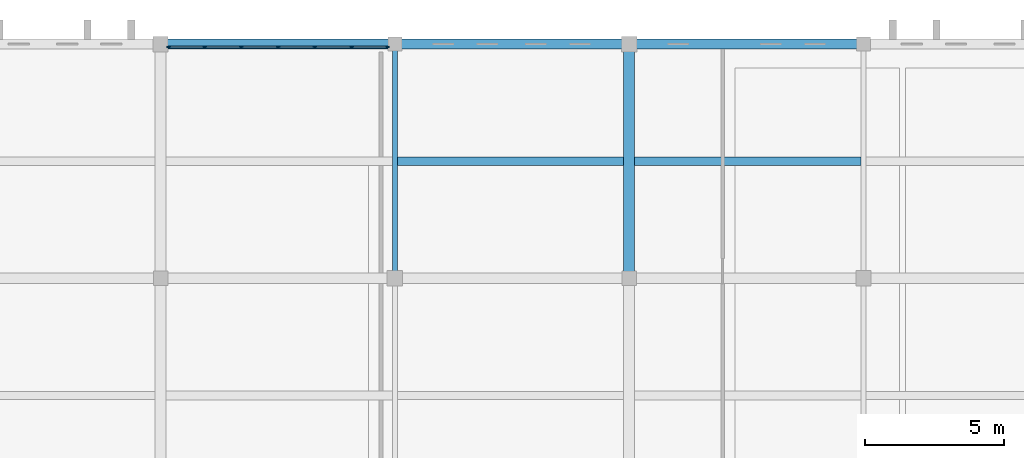
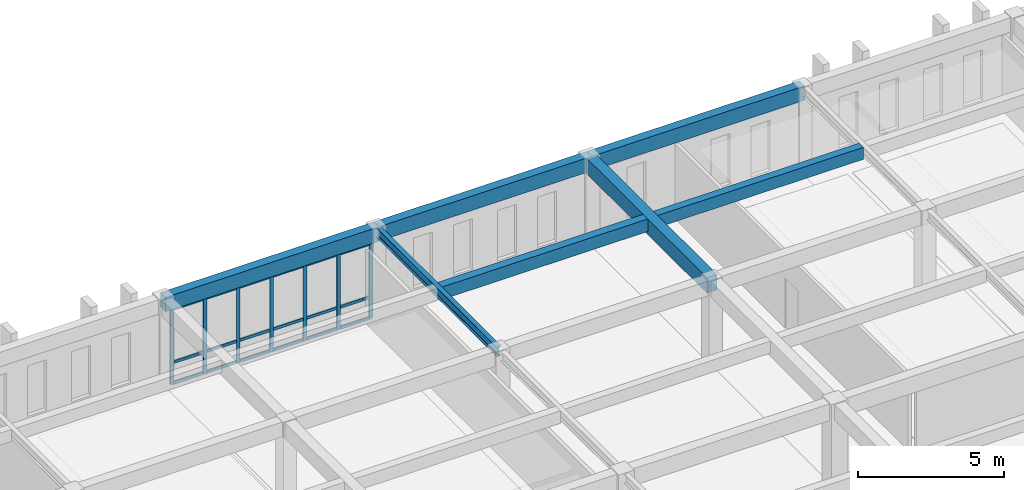
# One storey, part 18 of 47: 25 members, 7 beams, 1 element without a shape of its own.
"""IFC4 building model written with IfcOpenShell, lengths in metres."""

from ifc_helpers import new_model, si_unit, direction, frame, origin, origin_2d, place, context, subcontext, project, spatial, rectangle, i_section, extrude, material, layer, layer_set, material_profile, profile_set, type_object, element, aggregate, save


model = new_model("IFC4")

# Units and contexts
model_context = context("Model", 3, precision=1e-05, world=origin(), true_north=direction((0.0, 1.0)))
body_context = subcontext(model_context, "Body", "Model", "MODEL_VIEW")
ifc_project = project(units=[si_unit("LENGTHUNIT", "METRE"), si_unit("AREAUNIT", "SQUARE_METRE"), si_unit("VOLUMEUNIT", "CUBIC_METRE"), si_unit("PLANEANGLEUNIT", "RADIAN"), si_unit("MASSUNIT", "GRAM", prefix="KILO")], contexts=[model_context])

# Site, building, storey
site_placement = place(None, origin())
site = spatial("IfcSite", under=ifc_project, at=site_placement, CompositionType="ELEMENT")
building_placement = place(site_placement, origin())
building = spatial("IfcBuilding", under=site, at=building_placement, Name="Kveldsbrygga Polytechnic", CompositionType="ELEMENT")
storey_placement = place(building_placement, frame((0.0, 0.0, 13.93994140625)))
storey = spatial("IfcBuildingStorey", under=building, at=storey_placement, Name="L03", CompositionType="ELEMENT", Elevation=13.93994140625)

# Beams
ifc_material_1 = material(Name="Concrete C35/45", Category="concrete")
ifc_material_profile_1 = material_profile(ifc_material_1, rectangle(XDim=0.39990234375, YDim=0.64990234375, at=origin_2d()), Name="RC 400x650")
ifc_profile_set_1 = profile_set([ifc_material_profile_1], Name="Concrete C35/45")
beam_type_1 = type_object("IfcBeamType", Name="BM-RC-400x650", PredefinedType="BEAM", material=ifc_profile_set_1)
beam_1_placement = place(storey_placement, frame((134.39990234375, 109.199951171875, 3.425048828125), z_axis=(0.0, 1.0, 0.0), x_axis=(-1.0, 0.0, 0.0)))
element("IfcBeam", 1, at=beam_1_placement, inside=storey, type_object=beam_type_1, Name="Primary Beam BMY-L03-16-13to14", PredefinedType="BEAM", context=body_context, shape_type="SweptSolid", body=[
    extrude(rectangle(XDim=0.39990234375, YDim=0.64990234375, at=origin_2d()), origin(), (0.0, 0.0, 1.0), 8.400146484375),
])
ifc_material_profile_2 = material_profile(ifc_material_1, rectangle(XDim=0.35009765625, YDim=0.60009765625, at=origin_2d()), Name="RC 350x600")
ifc_profile_set_2 = profile_set([ifc_material_profile_2], Name="Concrete C35/45")
beam_type_2 = type_object("IfcBeamType", Name="BM-SPANDREL-600", PredefinedType="T_BEAM", material=ifc_profile_set_2)
for number, where, z_axis, x_axis, name in (
    (2, (117.60009765625, 117.60009765625, 3.449951171875), (1.0, 0.0, 0.0), (0.0, 1.0, 0.0), "Primary Beam BMX-L03-14to15-14"),
    (3, (126.0, 117.60009765625, 3.449951171875), (1.0, 0.0, 0.0), (0.0, 1.0, 0.0), "Primary Beam BMX-L03-15to16-14"),
):
    element("IfcBeam", number, at=place(storey_placement, frame(where, z_axis=z_axis, x_axis=x_axis)), inside=storey, type_object=beam_type_2, Name=name, PredefinedType="T_BEAM", context=body_context, shape_type="SweptSolid", body=[
        extrude(rectangle(XDim=0.35009765625, YDim=0.60009765625, at=origin_2d()), origin(), (0.0, 0.0, 1.0), 8.39990234375),
    ])
beam_2_placement = place(storey_placement, frame((134.39990234375, 117.60009765625, 3.449951171875), z_axis=(1.0, 0.0, 0.0), x_axis=(0.0, 1.0, 0.0)))
element("IfcBeam", 4, at=beam_2_placement, inside=storey, type_object=beam_type_2, Name="Primary Beam BMX-L03-16to17-14", PredefinedType="T_BEAM", context=body_context, shape_type="SweptSolid", body=[
    extrude(rectangle(XDim=0.35009765625, YDim=0.60009765625, at=origin_2d()), origin(), (0.0, 0.0, 1.0), 8.400146484375),
])
ifc_material_2 = material(Name="Steel S355", Category="steel")
ifc_material_profile_3 = material_profile(ifc_material_2, i_section(OverallWidth=0.179931640625, OverallDepth=0.39990234375, WebThickness=0.008544921875, FlangeThickness=0.013427734375, FilletRadius=0.02099609375, at=origin_2d()), Name="IPE 400")
ifc_profile_set_3 = profile_set([ifc_material_profile_3], Name="Steel S355")
beam_type_3 = type_object("IfcBeamType", Name="BM-STL-IPE400", PredefinedType="BEAM", material=ifc_profile_set_3)
beam_3_placement = place(storey_placement, frame((126.0, 109.199951171875, 3.550048828125), z_axis=(0.0, 1.0, 0.0), x_axis=(-1.0, 0.0, 0.0)))
element("IfcBeam", 5, at=beam_3_placement, inside=storey, type_object=beam_type_3, Name="Primary Beam BMY-L03-15-13to14", PredefinedType="BEAM", context=body_context, shape_type="SweptSolid", body=[
    extrude(i_section(OverallWidth=0.179931640625, OverallDepth=0.39990234375, WebThickness=0.008544921875, FlangeThickness=0.013427734375, FilletRadius=0.02099609375, at=origin_2d()), origin(), (0.0, 0.0, 1.0), 8.400146484375),
])

# Curtain wall, members
ifc_material_3 = material(Name="Anodised aluminium AW-6060", Category="aluminium")
ifc_layer = layer(ifc_material_3, 0.179931640625)
ifc_layer_set = layer_set([ifc_layer], Name="Anodised aluminium AW-6060")
curtain_wall_type = type_object("IfcCurtainWallType", Name="CW-CONC-A", PredefinedType="USERDEFINED", material=ifc_layer_set)
curtain_wall_placement = place(storey_placement, origin())
curtain_wall = element("IfcCurtainWall", 6, at=curtain_wall_placement, inside=storey, type_object=curtain_wall_type, Name="Curtain Wall CW-L03-X-14-14", ObjectType="UNITISED CURTAIN WALL", PredefinedType="USERDEFINED")
ifc_material_profile_4 = material_profile(ifc_material_3, rectangle(XDim=0.06005859375, YDim=0.139892578125, at=origin_2d()), Name="ALU 60x140")
ifc_profile_set_4 = profile_set([ifc_material_profile_4], Name="Anodised aluminium AW-6060")
member_type_1 = type_object("IfcMemberType", Name="CW-MUL-140", PredefinedType="MULLION", material=ifc_profile_set_4)
member_1_placement = place(storey_placement, frame((117.889892578125, 117.5, 0.0), z_axis=(0.0, 0.0, 1.0), x_axis=(0.0, 1.0, 0.0)))
member_1 = element("IfcMember", 7, at=member_1_placement, type_object=member_type_1, Name="CW-01 mullion 1", PredefinedType="MULLION", context=body_context, shape_type="SweptSolid", body=[
    extrude(rectangle(XDim=0.06005859375, YDim=0.139892578125, at=origin_2d()), origin(), (0.0, 0.0, 1.0), 3.150146484375),
])
member_2_placement = place(storey_placement, frame((119.177490234375, 117.5, 0.0), z_axis=(0.0, 0.0, 1.0), x_axis=(0.0, 1.0, 0.0)))
member_2 = element("IfcMember", 8, at=member_2_placement, type_object=member_type_1, Name="CW-01 mullion 2", PredefinedType="MULLION", context=body_context, shape_type="SweptSolid", body=[
    extrude(rectangle(XDim=0.06005859375, YDim=0.139892578125, at=origin_2d()), origin(), (0.0, 0.0, 1.0), 3.150146484375),
])
member_3_placement = place(storey_placement, frame((120.4951171875, 117.5, 0.0), z_axis=(0.0, 0.0, 1.0), x_axis=(0.0, 1.0, 0.0)))
member_3 = element("IfcMember", 9, at=member_3_placement, type_object=member_type_1, Name="CW-01 mullion 3", PredefinedType="MULLION", context=body_context, shape_type="SweptSolid", body=[
    extrude(rectangle(XDim=0.06005859375, YDim=0.139892578125, at=origin_2d()), origin(), (0.0, 0.0, 1.0), 3.150146484375),
])
member_4_placement = place(storey_placement, frame((121.8125, 117.5, 0.0), z_axis=(0.0, 0.0, 1.0), x_axis=(0.0, 1.0, 0.0)))
member_4 = element("IfcMember", 10, at=member_4_placement, type_object=member_type_1, Name="CW-01 mullion 4", PredefinedType="MULLION", context=body_context, shape_type="SweptSolid", body=[
    extrude(rectangle(XDim=0.06005859375, YDim=0.139892578125, at=origin_2d()), origin(), (0.0, 0.0, 1.0), 3.150146484375),
])
member_5_placement = place(storey_placement, frame((123.1298828125, 117.5, 0.0), z_axis=(0.0, 0.0, 1.0), x_axis=(0.0, 1.0, 0.0)))
member_5 = element("IfcMember", 11, at=member_5_placement, type_object=member_type_1, Name="CW-01 mullion 5", PredefinedType="MULLION", context=body_context, shape_type="SweptSolid", body=[
    extrude(rectangle(XDim=0.06005859375, YDim=0.139892578125, at=origin_2d()), origin(), (0.0, 0.0, 1.0), 3.150146484375),
])
member_6_placement = place(storey_placement, frame((124.447509765625, 117.5, 0.0), z_axis=(0.0, 0.0, 1.0), x_axis=(0.0, 1.0, 0.0)))
member_6 = element("IfcMember", 12, at=member_6_placement, type_object=member_type_1, Name="CW-01 mullion 6", PredefinedType="MULLION", context=body_context, shape_type="SweptSolid", body=[
    extrude(rectangle(XDim=0.06005859375, YDim=0.139892578125, at=origin_2d()), origin(), (0.0, 0.0, 1.0), 3.150146484375),
])
member_7_placement = place(storey_placement, frame((125.735107421875, 117.5, 0.0), z_axis=(0.0, 0.0, 1.0), x_axis=(0.0, 1.0, 0.0)))
member_7 = element("IfcMember", 13, at=member_7_placement, type_object=member_type_1, Name="CW-01 mullion 7", PredefinedType="MULLION", context=body_context, shape_type="SweptSolid", body=[
    extrude(rectangle(XDim=0.06005859375, YDim=0.139892578125, at=origin_2d()), origin(), (0.0, 0.0, 1.0), 3.150146484375),
])
ifc_material_profile_5 = material_profile(ifc_material_3, rectangle(XDim=0.06005859375, YDim=0.1201171875, at=origin_2d()), Name="ALU 60x120")
ifc_profile_set_5 = profile_set([ifc_material_profile_5], Name="Anodised aluminium AW-6060")
member_type_2 = type_object("IfcMemberType", Name="CW-TRN-120", PredefinedType="USERDEFINED", material=ifc_profile_set_5)
member_8_placement = place(storey_placement, frame((117.919921875, 117.5, 0.030029296875), z_axis=(1.0, 0.0, 0.0), x_axis=(0.0, 1.0, 0.0)))
member_8 = element("IfcMember", 14, at=member_8_placement, type_object=member_type_2, Name="CW-01 transom 1.1", ObjectType="TRANSOM", PredefinedType="USERDEFINED", context=body_context, shape_type="SweptSolid", body=[
    extrude(rectangle(XDim=0.06005859375, YDim=0.1201171875, at=origin_2d()), origin(), (0.0, 0.0, 1.0), 1.2275390625),
])
member_9_placement = place(storey_placement, frame((117.919921875, 117.5, 0.900146484375), z_axis=(1.0, 0.0, 0.0), x_axis=(0.0, 1.0, 0.0)))
member_9 = element("IfcMember", 15, at=member_9_placement, type_object=member_type_2, Name="CW-01 transom 1.2", ObjectType="TRANSOM", PredefinedType="USERDEFINED", context=body_context, shape_type="SweptSolid", body=[
    extrude(rectangle(XDim=0.06005859375, YDim=0.1201171875, at=origin_2d()), origin(), (0.0, 0.0, 1.0), 1.2275390625),
])
member_10_placement = place(storey_placement, frame((117.919921875, 117.5, 3.1201171875), z_axis=(1.0, 0.0, 0.0), x_axis=(0.0, 1.0, 0.0)))
member_10 = element("IfcMember", 16, at=member_10_placement, type_object=member_type_2, Name="CW-01 transom 1.3", ObjectType="TRANSOM", PredefinedType="USERDEFINED", context=body_context, shape_type="SweptSolid", body=[
    extrude(rectangle(XDim=0.06005859375, YDim=0.1201171875, at=origin_2d()), origin(), (0.0, 0.0, 1.0), 1.2275390625),
])
member_11_placement = place(storey_placement, frame((119.20751953125, 117.5, 0.030029296875), z_axis=(1.0, 0.0, 0.0), x_axis=(0.0, 1.0, 0.0)))
member_11 = element("IfcMember", 17, at=member_11_placement, type_object=member_type_2, Name="CW-01 transom 2.1", ObjectType="TRANSOM", PredefinedType="USERDEFINED", context=body_context, shape_type="SweptSolid", body=[
    extrude(rectangle(XDim=0.06005859375, YDim=0.1201171875, at=origin_2d()), origin(), (0.0, 0.0, 1.0), 1.257568359375),
])
member_12_placement = place(storey_placement, frame((119.20751953125, 117.5, 0.900146484375), z_axis=(1.0, 0.0, 0.0), x_axis=(0.0, 1.0, 0.0)))
member_12 = element("IfcMember", 18, at=member_12_placement, type_object=member_type_2, Name="CW-01 transom 2.2", ObjectType="TRANSOM", PredefinedType="USERDEFINED", context=body_context, shape_type="SweptSolid", body=[
    extrude(rectangle(XDim=0.06005859375, YDim=0.1201171875, at=origin_2d()), origin(), (0.0, 0.0, 1.0), 1.257568359375),
])
member_13_placement = place(storey_placement, frame((119.20751953125, 117.5, 3.1201171875), z_axis=(1.0, 0.0, 0.0), x_axis=(0.0, 1.0, 0.0)))
member_13 = element("IfcMember", 19, at=member_13_placement, type_object=member_type_2, Name="CW-01 transom 2.3", ObjectType="TRANSOM", PredefinedType="USERDEFINED", context=body_context, shape_type="SweptSolid", body=[
    extrude(rectangle(XDim=0.06005859375, YDim=0.1201171875, at=origin_2d()), origin(), (0.0, 0.0, 1.0), 1.257568359375),
])
member_14_placement = place(storey_placement, frame((120.52490234375, 117.5, 0.030029296875), z_axis=(1.0, 0.0, 0.0), x_axis=(0.0, 1.0, 0.0)))
member_14 = element("IfcMember", 20, at=member_14_placement, type_object=member_type_2, Name="CW-01 transom 3.1", ObjectType="TRANSOM", PredefinedType="USERDEFINED", context=body_context, shape_type="SweptSolid", body=[
    extrude(rectangle(XDim=0.06005859375, YDim=0.1201171875, at=origin_2d()), origin(), (0.0, 0.0, 1.0), 1.257568359375),
])
member_15_placement = place(storey_placement, frame((120.52490234375, 117.5, 0.900146484375), z_axis=(1.0, 0.0, 0.0), x_axis=(0.0, 1.0, 0.0)))
member_15 = element("IfcMember", 21, at=member_15_placement, type_object=member_type_2, Name="CW-01 transom 3.2", ObjectType="TRANSOM", PredefinedType="USERDEFINED", context=body_context, shape_type="SweptSolid", body=[
    extrude(rectangle(XDim=0.06005859375, YDim=0.1201171875, at=origin_2d()), origin(), (0.0, 0.0, 1.0), 1.257568359375),
])
member_16_placement = place(storey_placement, frame((120.52490234375, 117.5, 3.1201171875), z_axis=(1.0, 0.0, 0.0), x_axis=(0.0, 1.0, 0.0)))
member_16 = element("IfcMember", 22, at=member_16_placement, type_object=member_type_2, Name="CW-01 transom 3.3", ObjectType="TRANSOM", PredefinedType="USERDEFINED", context=body_context, shape_type="SweptSolid", body=[
    extrude(rectangle(XDim=0.06005859375, YDim=0.1201171875, at=origin_2d()), origin(), (0.0, 0.0, 1.0), 1.257568359375),
])
member_17_placement = place(storey_placement, frame((121.842529296875, 117.5, 0.030029296875), z_axis=(1.0, 0.0, 0.0), x_axis=(0.0, 1.0, 0.0)))
member_17 = element("IfcMember", 23, at=member_17_placement, type_object=member_type_2, Name="CW-01 transom 4.1", ObjectType="TRANSOM", PredefinedType="USERDEFINED", context=body_context, shape_type="SweptSolid", body=[
    extrude(rectangle(XDim=0.06005859375, YDim=0.1201171875, at=origin_2d()), origin(), (0.0, 0.0, 1.0), 1.257568359375),
])
member_18_placement = place(storey_placement, frame((121.842529296875, 117.5, 0.900146484375), z_axis=(1.0, 0.0, 0.0), x_axis=(0.0, 1.0, 0.0)))
member_18 = element("IfcMember", 24, at=member_18_placement, type_object=member_type_2, Name="CW-01 transom 4.2", ObjectType="TRANSOM", PredefinedType="USERDEFINED", context=body_context, shape_type="SweptSolid", body=[
    extrude(rectangle(XDim=0.06005859375, YDim=0.1201171875, at=origin_2d()), origin(), (0.0, 0.0, 1.0), 1.257568359375),
])
member_19_placement = place(storey_placement, frame((121.842529296875, 117.5, 3.1201171875), z_axis=(1.0, 0.0, 0.0), x_axis=(0.0, 1.0, 0.0)))
member_19 = element("IfcMember", 25, at=member_19_placement, type_object=member_type_2, Name="CW-01 transom 4.3", ObjectType="TRANSOM", PredefinedType="USERDEFINED", context=body_context, shape_type="SweptSolid", body=[
    extrude(rectangle(XDim=0.06005859375, YDim=0.1201171875, at=origin_2d()), origin(), (0.0, 0.0, 1.0), 1.257568359375),
])
member_20_placement = place(storey_placement, frame((123.159912109375, 117.5, 0.030029296875), z_axis=(1.0, 0.0, 0.0), x_axis=(0.0, 1.0, 0.0)))
member_20 = element("IfcMember", 26, at=member_20_placement, type_object=member_type_2, Name="CW-01 transom 5.1", ObjectType="TRANSOM", PredefinedType="USERDEFINED", context=body_context, shape_type="SweptSolid", body=[
    extrude(rectangle(XDim=0.06005859375, YDim=0.1201171875, at=origin_2d()), origin(), (0.0, 0.0, 1.0), 1.257568359375),
])
member_21_placement = place(storey_placement, frame((123.159912109375, 117.5, 0.900146484375), z_axis=(1.0, 0.0, 0.0), x_axis=(0.0, 1.0, 0.0)))
member_21 = element("IfcMember", 27, at=member_21_placement, type_object=member_type_2, Name="CW-01 transom 5.2", ObjectType="TRANSOM", PredefinedType="USERDEFINED", context=body_context, shape_type="SweptSolid", body=[
    extrude(rectangle(XDim=0.06005859375, YDim=0.1201171875, at=origin_2d()), origin(), (0.0, 0.0, 1.0), 1.257568359375),
])
member_22_placement = place(storey_placement, frame((123.159912109375, 117.5, 3.1201171875), z_axis=(1.0, 0.0, 0.0), x_axis=(0.0, 1.0, 0.0)))
member_22 = element("IfcMember", 28, at=member_22_placement, type_object=member_type_2, Name="CW-01 transom 5.3", ObjectType="TRANSOM", PredefinedType="USERDEFINED", context=body_context, shape_type="SweptSolid", body=[
    extrude(rectangle(XDim=0.06005859375, YDim=0.1201171875, at=origin_2d()), origin(), (0.0, 0.0, 1.0), 1.257568359375),
])
member_23_placement = place(storey_placement, frame((124.4775390625, 117.5, 0.030029296875), z_axis=(1.0, 0.0, 0.0), x_axis=(0.0, 1.0, 0.0)))
member_23 = element("IfcMember", 29, at=member_23_placement, type_object=member_type_2, Name="CW-01 transom 6.1", ObjectType="TRANSOM", PredefinedType="USERDEFINED", context=body_context, shape_type="SweptSolid", body=[
    extrude(rectangle(XDim=0.06005859375, YDim=0.1201171875, at=origin_2d()), origin(), (0.0, 0.0, 1.0), 1.2275390625),
])
member_24_placement = place(storey_placement, frame((124.4775390625, 117.5, 0.900146484375), z_axis=(1.0, 0.0, 0.0), x_axis=(0.0, 1.0, 0.0)))
member_24 = element("IfcMember", 30, at=member_24_placement, type_object=member_type_2, Name="CW-01 transom 6.2", ObjectType="TRANSOM", PredefinedType="USERDEFINED", context=body_context, shape_type="SweptSolid", body=[
    extrude(rectangle(XDim=0.06005859375, YDim=0.1201171875, at=origin_2d()), origin(), (0.0, 0.0, 1.0), 1.2275390625),
])
member_25_placement = place(storey_placement, frame((124.4775390625, 117.5, 3.1201171875), z_axis=(1.0, 0.0, 0.0), x_axis=(0.0, 1.0, 0.0)))
member_25 = element("IfcMember", 31, at=member_25_placement, type_object=member_type_2, Name="CW-01 transom 6.3", ObjectType="TRANSOM", PredefinedType="USERDEFINED", context=body_context, shape_type="SweptSolid", body=[
    extrude(rectangle(XDim=0.06005859375, YDim=0.1201171875, at=origin_2d()), origin(), (0.0, 0.0, 1.0), 1.2275390625),
])
aggregate(curtain_wall, [member_1, member_2, member_3, member_4, member_5, member_6, member_7, member_8, member_9, member_10, member_11, member_12, member_13, member_14, member_15, member_16, member_17, member_18, member_19, member_20, member_21, member_22, member_23, member_24, member_25])

# Beams
ifc_material_profile_6 = material_profile(ifc_material_1, rectangle(XDim=0.300048828125, YDim=0.5, at=origin_2d()), Name="RC 300x500")
ifc_profile_set_6 = profile_set([ifc_material_profile_6], Name="Concrete C35/45")
beam_type_4 = type_object("IfcBeamType", Name="JST-RC-300x500", PredefinedType="JOIST", material=ifc_profile_set_6)
beam_4_placement = place(storey_placement, frame((134.60009765625, 113.39990234375, 3.5), z_axis=(1.0, 0.0, 0.0), x_axis=(0.0, 1.0, 0.0)))
element("IfcBeam", 32, at=beam_4_placement, inside=storey, type_object=beam_type_4, Name="Secondary Joist JST-L03-16-13", PredefinedType="JOIST", context=body_context, shape_type="SweptSolid", body=[
    extrude(rectangle(XDim=0.300048828125, YDim=0.5, at=origin_2d()), origin(), (0.0, 0.0, 1.0), 8.10986328125),
])
ifc_material_profile_7 = material_profile(ifc_material_1, rectangle(XDim=0.320068359375, YDim=0.52001953125, at=origin_2d()), Name="RC 320x520")
ifc_profile_set_7 = profile_set([ifc_material_profile_7], Name="Concrete C35/45")
beam_type_5 = type_object("IfcBeamType", Name="JST-RC-320x520", PredefinedType="JOIST", material=ifc_profile_set_7)
beam_5_placement = place(storey_placement, frame((126.090087890625, 113.39990234375, 3.489990234375), z_axis=(1.0, 0.0, 0.0), x_axis=(0.0, 1.0, 0.0)))
element("IfcBeam", 33, at=beam_5_placement, inside=storey, type_object=beam_type_5, Name="Secondary Joist JST-L03-15-13", PredefinedType="JOIST", context=body_context, shape_type="SweptSolid", body=[
    extrude(rectangle(XDim=0.320068359375, YDim=0.52001953125, at=origin_2d()), origin(), (0.0, 0.0, 1.0), 8.10986328125),
])

save(model, "model.ifc")
